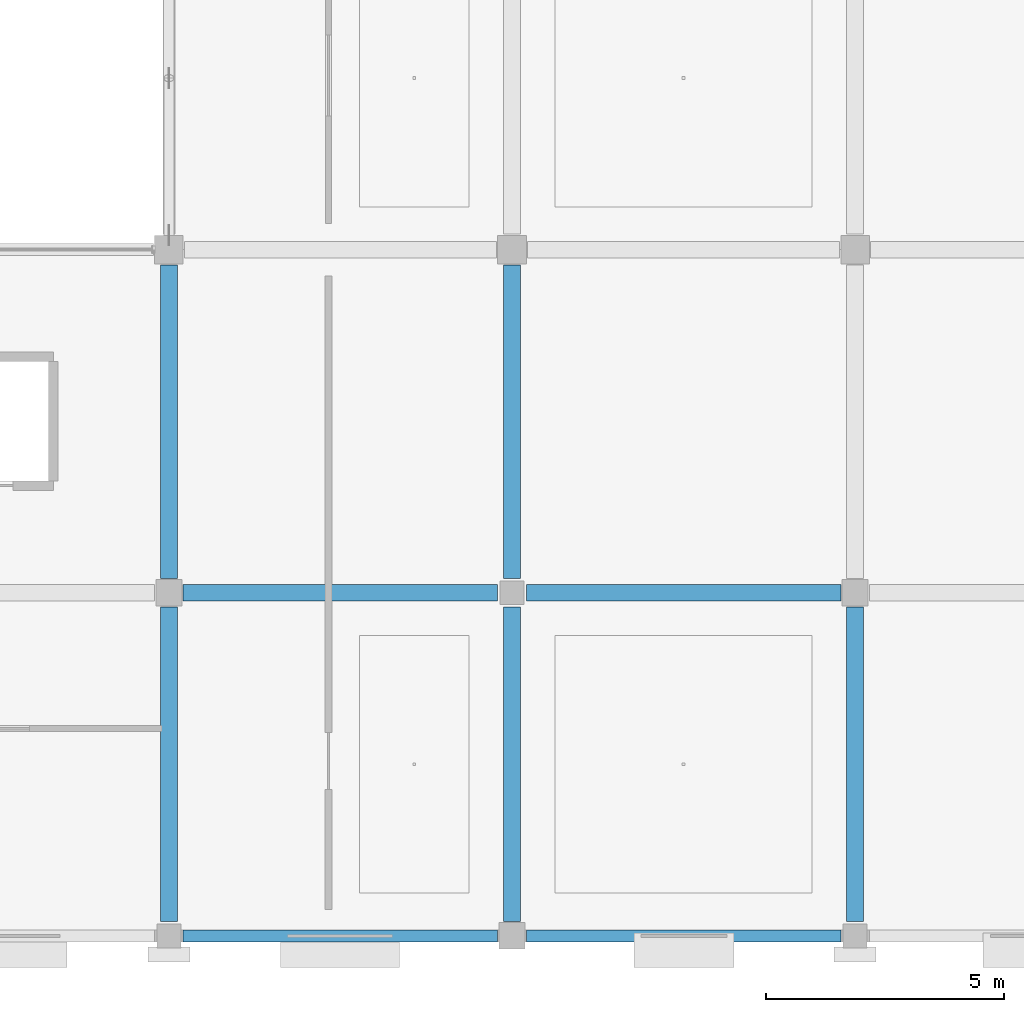
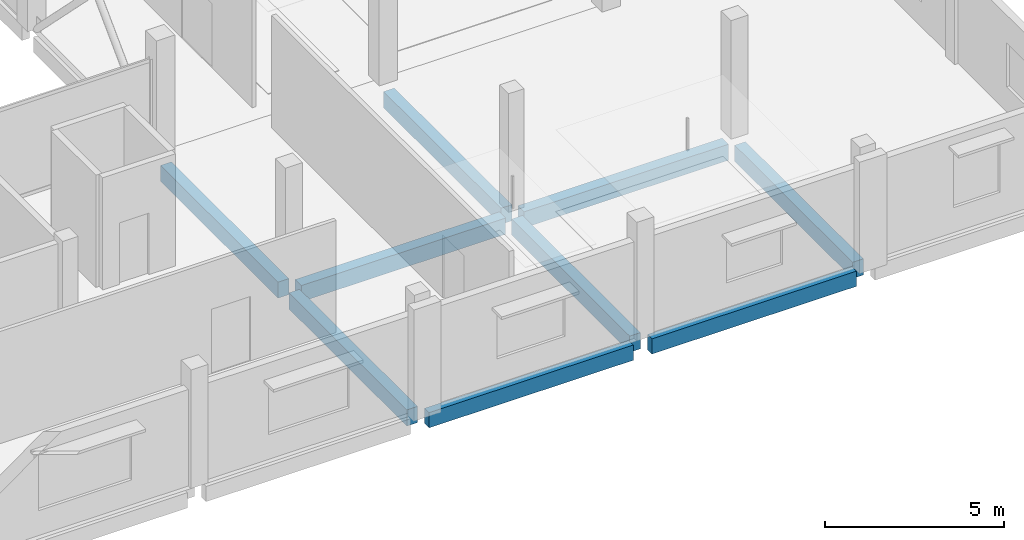
# One storey, part 15 of 59: 9 beams.
"""IFC4 building model written with IfcOpenShell, lengths in metres."""

import ifcopenshell
import ifcopenshell.guid

model = None  # the IFC model being written
_history = None  # IfcOwnerHistory: only IFC2X3 demands one
_inside = {}  # id of a spatial element -> (the spatial element, [elements in it])
_under = {}  # id of a project, library or spatial element -> (it, [spatial elements below it])
_declared = {}  # id of a project -> (the project, [libraries it declares])
_typed = {}  # id of a type object -> (the type object, [elements of that type])
_made_of = {}  # id of a material, layer set ... -> (it, [elements and type objects made of it])


def new_model(schema):
    """Start an empty IFC model of exactly this schema.

    Asked for "IFC4X3", IfcOpenShell would pick the latest addendum, in which some entities
    have other attributes; the version numbers below select the first issue.
    IFC2X3 requires an IfcOwnerHistory on every rooted entity: one is made here for all.
    """
    global model, _history
    if schema == "IFC4X3":
        model = ifcopenshell.file(schema_version=(4, 3, 0, 0))
    else:
        model = ifcopenshell.file(schema=schema)
    _inside.clear()
    _under.clear()
    _declared.clear()
    _typed.clear()
    _made_of.clear()
    _history = None
    if model.schema == "IFC2X3":
        org = make("IfcOrganization", Name="unknown")
        user = make(
            "IfcPersonAndOrganization",
            ThePerson=make("IfcPerson", FamilyName="unknown"),
            TheOrganization=org,
        )
        app = make(
            "IfcApplication",
            ApplicationDeveloper=org,
            Version="unknown",
            ApplicationFullName="unknown",
            ApplicationIdentifier="unknown",
        )
        _history = make(
            "IfcOwnerHistory",
            OwningUser=user,
            OwningApplication=app,
            ChangeAction="ADDED",
            CreationDate=0,
        )
    return model


def make(cls, **values):
    """One entity of the class cls with the attributes given. An attribute that is None is left unset."""
    return model.create_entity(
        cls, **{name: value for name, value in values.items() if value is not None}
    )


def rooted(cls, **values):
    """An entity with a GlobalId (a new one), such as an element, a storey or a relation."""
    return make(cls, GlobalId=ifcopenshell.guid.new(), OwnerHistory=_history, **values)


def si_unit(unit_type, name, prefix=None):
    """IfcSIUnit, for example si_unit("LENGTHUNIT", "METRE", prefix="MILLI")."""
    return make("IfcSIUnit", UnitType=unit_type, Prefix=prefix, Name=name)


def assignment(units):
    """IfcUnitAssignment: the units of a project."""
    return None if units is None else make("IfcUnitAssignment", Units=units)


def point(xyz):
    """IfcCartesianPoint."""
    return None if xyz is None else make("IfcCartesianPoint", Coordinates=xyz)


def direction(xyz):
    """IfcDirection."""
    return None if xyz is None else make("IfcDirection", DirectionRatios=xyz)


def frame(location, z_axis=None, x_axis=None):
    """IfcAxis2Placement3D, a coordinate frame: its origin and axes. An axis left out is left unset."""
    return make(
        "IfcAxis2Placement3D",
        Location=point(location),
        Axis=direction(z_axis),
        RefDirection=direction(x_axis),
    )


def frame_2d(location, x_axis=None):
    """IfcAxis2Placement2D, a coordinate frame in the plane: its origin and x axis."""
    return make(
        "IfcAxis2Placement2D", Location=point(location), RefDirection=direction(x_axis)
    )


def origin():
    """The frame at (0, 0, 0) with its axes left unset."""
    return frame((0.0, 0.0, 0.0))


def origin_2d():
    """The frame at (0, 0) in the plane with its x axis left unset."""
    return frame_2d((0.0, 0.0))


def place(relative_to, where):
    """IfcLocalPlacement: puts the frame where relative to a parent placement (None: the world)."""
    return make(
        "IfcLocalPlacement", PlacementRelTo=relative_to, RelativePlacement=where
    )


def context(
    kind, dimensions, precision=None, world=None, true_north=None, identifier=None
):
    """IfcGeometricRepresentationContext, for example the 3D "Model" context."""
    return make(
        "IfcGeometricRepresentationContext",
        ContextIdentifier=identifier,
        ContextType=kind,
        CoordinateSpaceDimension=dimensions,
        Precision=precision,
        WorldCoordinateSystem=world,
        TrueNorth=true_north,
    )


def subcontext(parent, identifier, kind, view, scale=None):
    """IfcGeometricRepresentationSubContext, for example "Body" below "Model"."""
    return make(
        "IfcGeometricRepresentationSubContext",
        ContextIdentifier=identifier,
        ContextType=kind,
        ParentContext=parent,
        TargetScale=scale,
        TargetView=view,
    )


def project(units=None, contexts=None):
    """IfcProject with its units and contexts."""
    return rooted(
        "IfcProject",
        Name="project",
        RepresentationContexts=contexts,
        UnitsInContext=assignment(units),
    )


def spatial(cls, under=None, at=None, **own):
    """A site, building, storey or space (cls), placed at a placement, below another one or the project."""
    s = rooted(cls, ObjectPlacement=at, **own)
    if under is not None:
        _under.setdefault(under.id(), (under, []))[1].append(s)
    return s


def profile(cls, at=None, kind="AREA", **sizes):
    """A parametric profile (cls). Its sizes go by their IFC names, for example OverallWidth=200.0."""
    return make(cls, ProfileType=kind, Position=at, **sizes)


def rectangle(**sizes):
    """IfcRectangleProfileDef."""
    return profile("IfcRectangleProfileDef", **sizes)


def extrude(swept, where, along, depth):
    """IfcExtrudedAreaSolid: the profile swept, set in the frame where, extruded along a direction by depth."""
    return make(
        "IfcExtrudedAreaSolid",
        SweptArea=swept,
        Position=where,
        ExtrudedDirection=direction(along),
        Depth=depth,
    )


def shape(context_of_items, identifier, shape_type, items):
    """IfcShapeRepresentation: the items that make up one representation, for example the "Body"."""
    return make(
        "IfcShapeRepresentation",
        ContextOfItems=context_of_items,
        RepresentationIdentifier=identifier,
        RepresentationType=shape_type,
        Items=items,
    )


def material(Name=None, Category=None):
    """IfcMaterial."""
    return make("IfcMaterial", Name=Name, Category=Category)


def material_profile(
    of_material, cross_section, Name=None, Category=None, Priority=None
):
    """IfcMaterialProfile: a cross section and its material."""
    return make(
        "IfcMaterialProfile",
        Name=Name,
        Material=of_material,
        Profile=cross_section,
        Priority=Priority,
        Category=Category,
    )


def profile_set(profiles, Name=None, composite=None):
    """IfcMaterialProfileSet."""
    return make(
        "IfcMaterialProfileSet",
        Name=Name,
        MaterialProfiles=profiles,
        CompositeProfile=composite,
    )


def made_of(thing, what):
    """Note that an element or type object is made of a material, layer set ...; save() writes the relation."""
    if what is not None:
        _made_of.setdefault(what.id(), (what, []))[1].append(thing)
    return thing


def type_object(cls, material=None, **own):
    """A type object (cls), such as IfcWallType, which elements share."""
    return made_of(rooted(cls, **own), material)


def element(
    cls,
    number,
    at=None,
    inside=None,
    cuts=None,
    type_object=None,
    material=None,
    context=None,
    identifier="Body",
    shape_type=None,
    held_by="IfcProductDefinitionShape",
    body=None,
    shapes=None,
    **own,
):
    """One element of the class cls, such as IfcWall. Its Tag is "e" and its number.

    at: its placement. inside: the storey or other place that contains it. cuts: it is an
    opening in that element (IfcRelVoidsElement). A single representation is given by context,
    identifier, shape_type and body (its items); several are given by shapes. held_by: the class
    of the entity that holds the representations. save() writes the other relations.
    """
    e = rooted(cls, Tag="e%d" % number, ObjectPlacement=at, **own)
    if body is not None:
        shapes = [shape(context, identifier, shape_type, body)]
    if shapes is not None:
        e.Representation = make(held_by, Representations=shapes)
    if inside is not None:
        _inside.setdefault(inside.id(), (inside, []))[1].append(e)
    if cuts is not None:
        rooted(
            "IfcRelVoidsElement", RelatingBuildingElement=cuts, RelatedOpeningElement=e
        )
    if type_object is not None:
        _typed.setdefault(type_object.id(), (type_object, []))[1].append(e)
    return made_of(e, material)


def aggregate(whole, parts):
    """IfcRelAggregates: a whole, such as a stair, and the parts it consists of."""
    return rooted("IfcRelAggregates", RelatingObject=whole, RelatedObjects=parts)


def save(model, path):
    """Write the relations noted so far, then the file.

    IfcRelAggregates (storeys below a building ...), IfcRelContainedInSpatialStructure (elements
    in a storey), IfcRelDefinesByType, IfcRelAssociatesMaterial and IfcRelDeclares: one each for
    every whole, place, type object, material and project.
    """
    for whole, parts in _under.values():
        aggregate(whole, parts)
    for where, things in _inside.values():
        rooted(
            "IfcRelContainedInSpatialStructure",
            RelatedElements=things,
            RelatingStructure=where,
        )
    for kind, things in _typed.values():
        rooted("IfcRelDefinesByType", RelatedObjects=things, RelatingType=kind)
    for what, things in _made_of.values():
        rooted("IfcRelAssociatesMaterial", RelatedObjects=things, RelatingMaterial=what)
    for by, libraries in _declared.values():
        rooted("IfcRelDeclares", RelatingContext=by, RelatedDefinitions=libraries)
    model.write(path)


model = new_model("IFC4")

# Units and contexts
model_context = context("Model", 3, precision=1e-05, world=origin(), true_north=direction((0.0, 1.0)))
body_context = subcontext(model_context, "Body", "Model", "MODEL_VIEW")
ifc_project = project(units=[si_unit("LENGTHUNIT", "METRE"), si_unit("AREAUNIT", "SQUARE_METRE"), si_unit("VOLUMEUNIT", "CUBIC_METRE"), si_unit("PLANEANGLEUNIT", "RADIAN"), si_unit("MASSUNIT", "GRAM", prefix="KILO")], contexts=[model_context])

# Site, building, storey
site_placement = place(None, origin())
site = spatial("IfcSite", under=ifc_project, at=site_placement, CompositionType="ELEMENT")
building_placement = place(site_placement, origin())
building = spatial("IfcBuilding", under=site, at=building_placement, Name="Kangsadwip Square Police Headquarters", CompositionType="ELEMENT")
storey_placement = place(building_placement, frame((0.0, 0.0, 21.60009765625)))
storey = spatial("IfcBuildingStorey", under=building, at=storey_placement, Name="L05", CompositionType="ELEMENT", Elevation=21.60009765625)

# Beams
ifc_material_1 = material(Name="Concrete M35 (35 MPa)", Category="concrete")
ifc_material_profile_1 = material_profile(ifc_material_1, rectangle(XDim=0.35009765625, YDim=0.550048828125, at=origin_2d()), Name="RC BM 550X350")
ifc_profile_set_1 = profile_set([ifc_material_profile_1], Name="Concrete M35 (35 MPa)")
beam_type_1 = type_object("IfcBeamType", Name="RcBeam550x350", PredefinedType="BEAM", material=ifc_profile_set_1)
beam_1_placement = place(storey_placement, frame((144.300048828125, 28.800048828125, -0.4951171875), z_axis=(1.0, 0.0, 0.0), x_axis=(0.0, 1.0, 0.0)))
element("IfcBeam", 1, at=beam_1_placement, inside=storey, type_object=beam_type_1, Name="Beam BM-L05-X-20-04", PredefinedType="BEAM", context=body_context, shape_type="SweptSolid", body=[
    extrude(rectangle(XDim=0.35009765625, YDim=0.550048828125, at=origin_2d()), origin(), (0.0, 0.0, 1.0), 6.599853515625),
])
for number, where, z_axis, x_axis, name in (
    (2, (151.5, 28.800048828125, -0.4951171875), (1.0, 0.0, 0.0), (0.0, 1.0, 0.0), "Beam BM-L05-X-21-04"),
    (3, (144.0, 21.89990234375, -0.4951171875), (0.0, 1.0, 0.0), (-1.0, 0.0, 0.0), "Beam BM-L05-Y-20-03"),
):
    element("IfcBeam", number, at=place(storey_placement, frame(where, z_axis=z_axis, x_axis=x_axis)), inside=storey, type_object=beam_type_1, Name=name, PredefinedType="BEAM", context=body_context, shape_type="SweptSolid", body=[
        extrude(rectangle(XDim=0.35009765625, YDim=0.550048828125, at=origin_2d()), origin(), (0.0, 0.0, 1.0), 6.60009765625),
    ])
beam_2_placement = place(storey_placement, frame((144.0, 29.10009765625, -0.4951171875), z_axis=(0.0, 1.0, 0.0), x_axis=(-1.0, 0.0, 0.0)))
element("IfcBeam", 4, at=beam_2_placement, inside=storey, type_object=beam_type_1, Name="Beam BM-L05-Y-20-04", PredefinedType="BEAM", context=body_context, shape_type="SweptSolid", body=[
    extrude(rectangle(XDim=0.35009765625, YDim=0.550048828125, at=origin_2d()), origin(), (0.0, 0.0, 1.0), 6.574951171875),
])
beam_3_placement = place(storey_placement, frame((151.199951171875, 21.89990234375, -0.4951171875), z_axis=(0.0, 1.0, 0.0), x_axis=(-1.0, 0.0, 0.0)))
element("IfcBeam", 5, at=beam_3_placement, inside=storey, type_object=beam_type_1, Name="Beam BM-L05-Y-21-03", PredefinedType="BEAM", context=body_context, shape_type="SweptSolid", body=[
    extrude(rectangle(XDim=0.35009765625, YDim=0.550048828125, at=origin_2d()), origin(), (0.0, 0.0, 1.0), 6.60009765625),
])
beam_4_placement = place(storey_placement, frame((151.199951171875, 29.10009765625, -0.4951171875), z_axis=(0.0, 1.0, 0.0), x_axis=(-1.0, 0.0, 0.0)))
element("IfcBeam", 6, at=beam_4_placement, inside=storey, type_object=beam_type_1, Name="Beam BM-L05-Y-21-04", PredefinedType="BEAM", context=body_context, shape_type="SweptSolid", body=[
    extrude(rectangle(XDim=0.35009765625, YDim=0.550048828125, at=origin_2d()), origin(), (0.0, 0.0, 1.0), 6.574951171875),
])
beam_5_placement = place(storey_placement, frame((158.39990234375, 21.89990234375, -0.4951171875), z_axis=(0.0, 1.0, 0.0), x_axis=(-1.0, 0.0, 0.0)))
element("IfcBeam", 7, at=beam_5_placement, inside=storey, type_object=beam_type_1, Name="Beam BM-L05-Y-22-03", PredefinedType="BEAM", context=body_context, shape_type="SweptSolid", body=[
    extrude(rectangle(XDim=0.35009765625, YDim=0.550048828125, at=origin_2d()), origin(), (0.0, 0.0, 1.0), 6.60009765625),
])
ifc_material_2 = material(Name="Concrete M35 (35 MPa)", Category="concrete")
ifc_material_profile_2 = material_profile(ifc_material_2, rectangle(XDim=0.25, YDim=0.52001953125, at=origin_2d()), Name="RC SPN 520X250")
ifc_profile_set_2 = profile_set([ifc_material_profile_2], Name="Concrete M35 (35 MPa)")
beam_type_2 = type_object("IfcBeamType", Name="RcSpandrel520x250", PredefinedType="SPANDREL", material=ifc_profile_set_2)
beam_6_placement = place(storey_placement, frame((144.300048828125, 21.60009765625, -0.47998046875), z_axis=(1.0, 0.0, 0.0), x_axis=(0.0, 1.0, 0.0)))
element("IfcBeam", 8, at=beam_6_placement, inside=storey, type_object=beam_type_2, Name="Beam BM-L05-X-20-03", PredefinedType="SPANDREL", context=body_context, shape_type="SweptSolid", body=[
    extrude(rectangle(XDim=0.25, YDim=0.52001953125, at=origin_2d()), origin(), (0.0, 0.0, 1.0), 6.599853515625),
])
beam_7_placement = place(storey_placement, frame((151.5, 21.60009765625, -0.47998046875), z_axis=(1.0, 0.0, 0.0), x_axis=(0.0, 1.0, 0.0)))
element("IfcBeam", 9, at=beam_7_placement, inside=storey, type_object=beam_type_2, Name="Beam BM-L05-X-21-03", PredefinedType="SPANDREL", context=body_context, shape_type="SweptSolid", body=[
    extrude(rectangle(XDim=0.25, YDim=0.52001953125, at=origin_2d()), origin(), (0.0, 0.0, 1.0), 6.60009765625),
])

save(model, "model.ifc")
